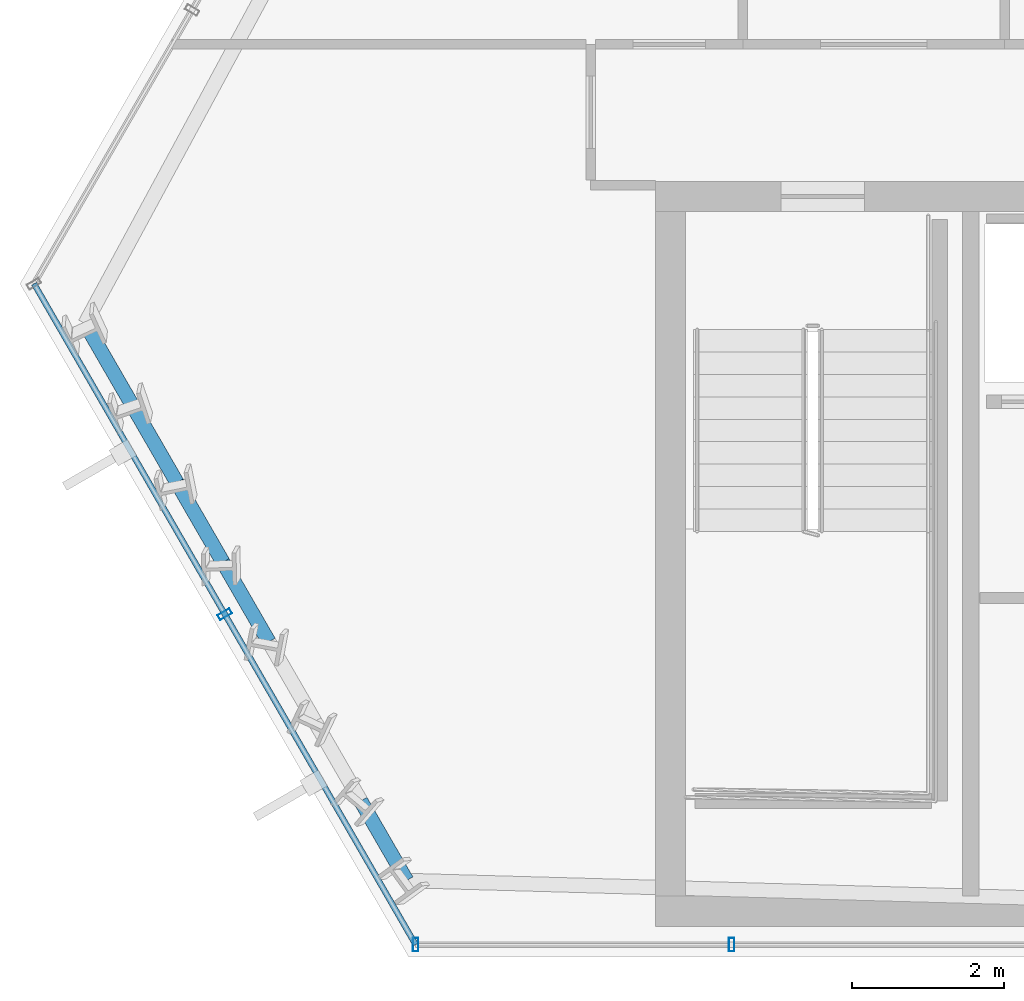
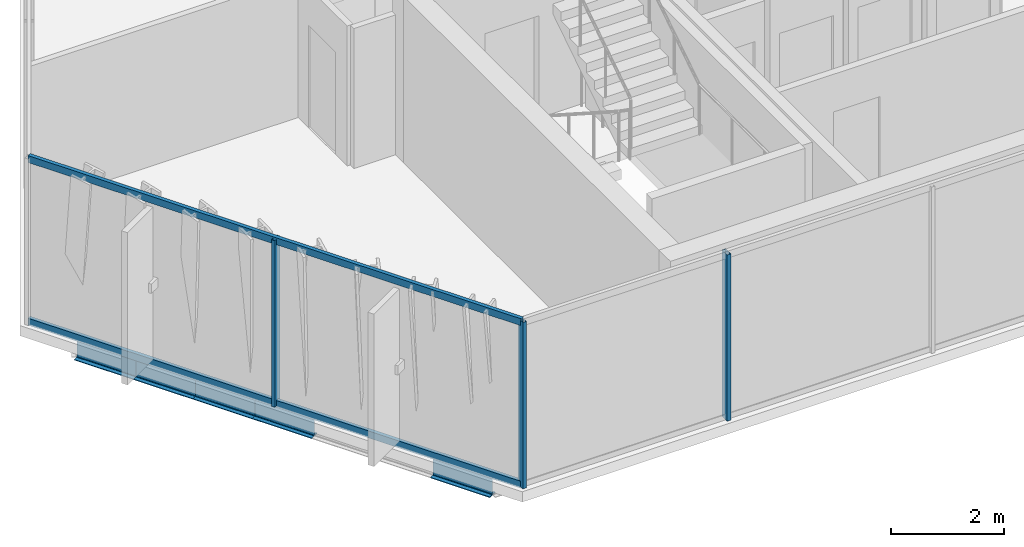
# One storey, part 2 of 35: 5 beams, 5 members, 2 elements without a shape of their own.
"""IFC4 building model written with IfcOpenShell, lengths in metres."""

from ifc_helpers import new_model, si_unit, direction, frame, origin, origin_2d, place, context, subcontext, project, spatial, hollow_rectangle, i_section, extrude, material, layer, layer_set, material_profile, profile_set, type_object, element, aggregate, save


model = new_model("IFC4")

# Units and contexts
model_context = context("Model", 3, precision=1e-05, world=origin(), true_north=direction((0.0, 1.0)))
body_context = subcontext(model_context, "Body", "Model", "MODEL_VIEW")
ifc_project = project(units=[si_unit("LENGTHUNIT", "METRE"), si_unit("AREAUNIT", "SQUARE_METRE"), si_unit("VOLUMEUNIT", "CUBIC_METRE"), si_unit("PLANEANGLEUNIT", "RADIAN"), si_unit("MASSUNIT", "GRAM", prefix="KILO")], contexts=[model_context])

# Site, building, storey
site_placement = place(None, origin())
site = spatial("IfcSite", under=ifc_project, at=site_placement, CompositionType="ELEMENT")
building_placement = place(site_placement, origin())
building = spatial("IfcBuilding", under=site, at=building_placement, Name="Ndaravel Arena Tower", CompositionType="ELEMENT")
storey_placement = place(building_placement, frame((0.0, 0.0, 180.199951171875)))
storey = spatial("IfcBuildingStorey", under=building, at=storey_placement, Name="L43", CompositionType="ELEMENT", Elevation=180.199951171875)

# Beams
ifc_material_1 = material(Name="Steel S355", Category="steel")
ifc_material_profile_1 = material_profile(ifc_material_1, i_section(OverallWidth=0.18994140625, OverallDepth=0.449951171875, WebThickness=0.009521484375, FlangeThickness=0.0146484375, FilletRadius=0.02099609375, at=origin_2d()), Name="IPE 450")
ifc_profile_set_1 = profile_set([ifc_material_profile_1], Name="Steel S355")
beam_type = type_object("IfcBeamType", Name="BM-SPAN-IPE450", PredefinedType="SPANDREL", material=ifc_profile_set_1)
for number, where, z_axis, x_axis, name in (
    (1, (18.949462890625, 13.32958984375, -0.445068359375), (0.499984757355, -0.866034203951, 0.0), (0.866034203951, 0.499984757355, 0.0), "L43 Perimeter Spandrel Beam SP-20"),
    (2, (19.5537109375, 12.282958984375, -0.445068359375), (0.499984757355, -0.866034203951, 0.0), (0.866034203951, 0.499984757355, 0.0), "L43 Perimeter Spandrel Beam SP-21"),
    (3, (20.157958984375, 11.236328125, -0.445068359375), (0.499984757355, -0.866034203951, 0.0), (0.866034203951, 0.499984757355, 0.0), "L43 Perimeter Spandrel Beam SP-22"),
    (4, (20.76220703125, 10.189697265625, -0.445068359375), (0.499984757355, -0.866034203951, 0.0), (0.866034203951, 0.499984757355, 0.0), "L43 Perimeter Spandrel Beam SP-23"),
):
    element("IfcBeam", number, at=place(storey_placement, frame(where, z_axis=z_axis, x_axis=x_axis)), inside=storey, type_object=beam_type, Name=name, PredefinedType="SPANDREL", context=body_context, shape_type="SweptSolid", body=[
        extrude(i_section(OverallWidth=0.18994140625, OverallDepth=0.449951171875, WebThickness=0.009521484375, FlangeThickness=0.0146484375, FilletRadius=0.02099609375, at=origin_2d()), origin(), (0.0, 0.0, 1.0), 1.20849609375),
    ])
beam_placement = place(storey_placement, frame((22.574951171875, 7.0498046875, -0.445068359375), z_axis=(0.500072242978, -0.865983690264, 0.0), x_axis=(0.865983690264, 0.500072242978, 0.0)))
element("IfcBeam", 5, at=beam_placement, inside=storey, type_object=beam_type, Name="L43 Perimeter Spandrel Beam SP-26", PredefinedType="SPANDREL", context=body_context, shape_type="SweptSolid", body=[
    extrude(i_section(OverallWidth=0.18994140625, OverallDepth=0.449951171875, WebThickness=0.009521484375, FlangeThickness=0.0146484375, FilletRadius=0.02099609375, at=origin_2d()), origin(), (0.0, 0.0, 1.0), 1.208251953125),
])

# Curtain wall, members
ifc_material_2 = material(Name="Aluminium", Category="aluminium")
ifc_layer_1 = layer(ifc_material_2, 0.179931640625)
ifc_layer_set_1 = layer_set([ifc_layer_1], Name="Aluminium")
curtain_wall_type_1 = type_object("IfcCurtainWallType", Name="CW-SYS-03", PredefinedType="NOTDEFINED", material=ifc_layer_set_1)
curtain_wall_1_placement = place(storey_placement, origin())
curtain_wall_1 = element("IfcCurtainWall", 6, at=curtain_wall_1_placement, inside=storey, type_object=curtain_wall_type_1, Name="L43 Faceted Crystal Curtain Wall CW-L43-E01", PredefinedType="NOTDEFINED")
ifc_material_3 = material(Name="Aluminium", Category="aluminium")
ifc_material_profile_2 = material_profile(ifc_material_3, hollow_rectangle(XDim=0.074951171875, YDim=0.179931640625, WallThickness=0.00390625, at=origin_2d()), Name="CW MULLION 75x180x4")
ifc_profile_set_2 = profile_set([ifc_material_profile_2], Name="Aluminium")
member_type_1 = type_object("IfcMemberType", Name="MEM-CW-MUL180", PredefinedType="MULLION", material=ifc_profile_set_2)
member_1_placement = place(storey_placement, frame((23.296630859375, 5.159912109375, 0.0), z_axis=(0.0, 0.0, 1.0), x_axis=(1.0, 0.0, 0.0)))
member_1 = element("IfcMember", 7, at=member_1_placement, type_object=member_type_1, Name="CW-L43-E01 Mullion 00", PredefinedType="MULLION", context=body_context, shape_type="SweptSolid", body=[
    extrude(hollow_rectangle(XDim=0.074951171875, YDim=0.179931640625, WallThickness=0.00390625, at=origin_2d()), origin(), (0.0, 0.0, 1.0), 3.580078125),
])
member_2_placement = place(storey_placement, frame((27.452880859375, 5.159912109375, 0.0), z_axis=(0.0, 0.0, 1.0), x_axis=(1.0, 0.0, 0.0)))
member_2 = element("IfcMember", 8, at=member_2_placement, type_object=member_type_1, Name="CW-L43-E01 Mullion 01", PredefinedType="MULLION", context=body_context, shape_type="SweptSolid", body=[
    extrude(hollow_rectangle(XDim=0.074951171875, YDim=0.179931640625, WallThickness=0.00390625, at=origin_2d()), origin(), (0.0, 0.0, 1.0), 3.580078125),
])
aggregate(curtain_wall_1, [member_1, member_2])

ifc_material_4 = material(Name="Aluminium", Category="aluminium")
ifc_layer_2 = layer(ifc_material_4, 0.179931640625)
ifc_layer_set_2 = layer_set([ifc_layer_2], Name="Aluminium")
curtain_wall_type_2 = type_object("IfcCurtainWallType", Name="CW-SYS-02", PredefinedType="NOTDEFINED", material=ifc_layer_set_2)
curtain_wall_2_placement = place(storey_placement, origin())
curtain_wall_2 = element("IfcCurtainWall", 9, at=curtain_wall_2_placement, inside=storey, type_object=curtain_wall_type_2, Name="L43 Faceted Crystal Curtain Wall CW-L43-E06", PredefinedType="NOTDEFINED")
member_3_placement = place(storey_placement, frame((20.787109375, 9.506591796875, 0.0), z_axis=(0.0, 0.0, 1.0), x_axis=(0.5, -0.866025403784, 0.0)))
member_3 = element("IfcMember", 10, at=member_3_placement, type_object=member_type_1, Name="CW-L43-E06 Mullion 01", PredefinedType="MULLION", context=body_context, shape_type="SweptSolid", body=[
    extrude(hollow_rectangle(XDim=0.074951171875, YDim=0.179931640625, WallThickness=0.00390625, at=origin_2d()), origin(), (0.0, 0.0, 1.0), 3.580078125),
])
ifc_material_5 = material(Name="Aluminium", Category="aluminium")
ifc_material_profile_3 = material_profile(ifc_material_5, hollow_rectangle(XDim=0.074951171875, YDim=0.14990234375, WallThickness=0.00390625, at=origin_2d()), Name="CW TRANSOM 75x150x4")
ifc_profile_set_3 = profile_set([ifc_material_profile_3], Name="Aluminium")
member_type_2 = type_object("IfcMemberType", Name="MEM-CW-TRN150", PredefinedType="USERDEFINED", material=ifc_profile_set_3)
member_4_placement = place(storey_placement, frame((18.27783203125, 13.852783203125, 0.0400390625), z_axis=(0.499997561338, -0.866026811742, 0.0), x_axis=(0.866026811742, 0.499997561338, 0.0)))
member_4 = element("IfcMember", 11, at=member_4_placement, type_object=member_type_2, Name="CW-L43-E06 Transom 01", ObjectType="TRANSOM", PredefinedType="USERDEFINED", context=body_context, shape_type="SweptSolid", body=[
    extrude(hollow_rectangle(XDim=0.074951171875, YDim=0.14990234375, WallThickness=0.00390625, at=origin_2d()), origin(), (0.0, 0.0, 1.0), 10.03759765625),
])
member_5_placement = place(storey_placement, frame((18.27783203125, 13.852783203125, 3.5400390625), z_axis=(0.499997561338, -0.866026811742, 0.0), x_axis=(0.866026811742, 0.499997561338, 0.0)))
member_5 = element("IfcMember", 12, at=member_5_placement, type_object=member_type_2, Name="CW-L43-E06 Transom 02", ObjectType="TRANSOM", PredefinedType="USERDEFINED", context=body_context, shape_type="SweptSolid", body=[
    extrude(hollow_rectangle(XDim=0.074951171875, YDim=0.14990234375, WallThickness=0.00390625, at=origin_2d()), origin(), (0.0, 0.0, 1.0), 10.03759765625),
])
aggregate(curtain_wall_2, [member_3, member_4, member_5])

save(model, "model.ifc")
